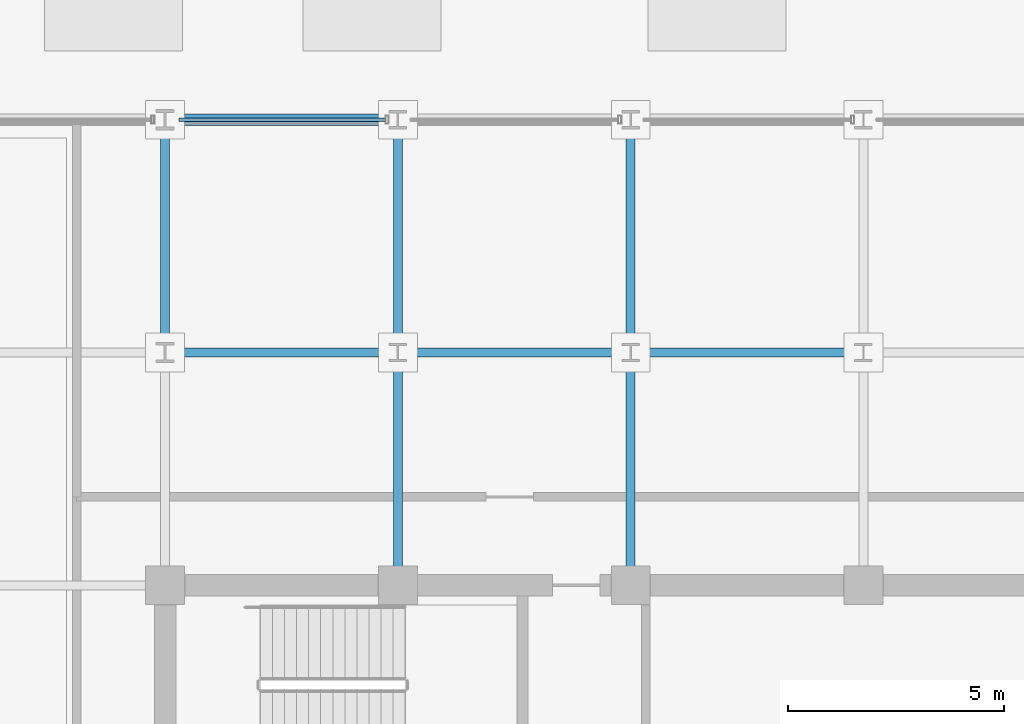
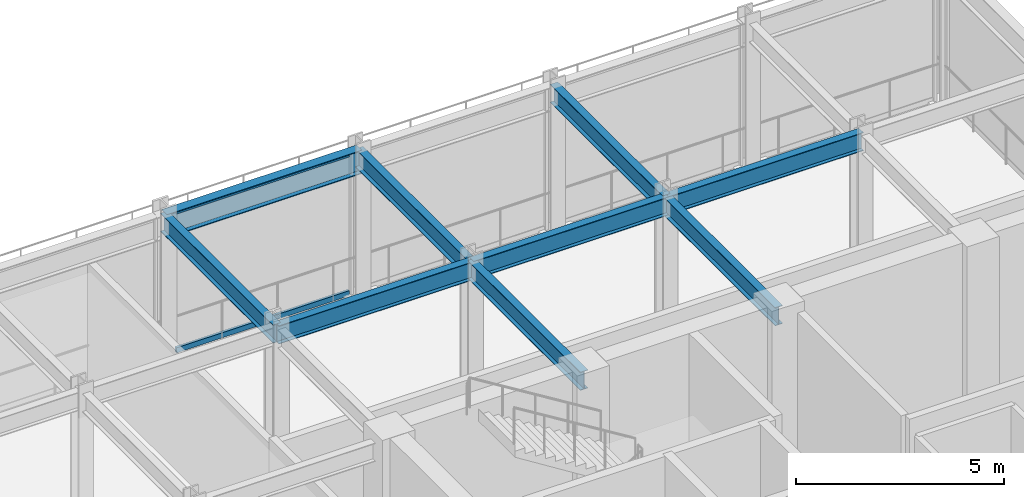
# One storey, part 10 of 22: 9 beams, 2 members, 1 element without a shape of its own.
"""IFC4 building model written with IfcOpenShell, lengths in metres."""

from ifc_helpers import new_model, si_unit, direction, frame, origin, origin_2d, place, context, subcontext, project, spatial, hollow_rectangle, i_section, extrude, material, layer, layer_set, material_profile, profile_set, type_object, element, aggregate, save


model = new_model("IFC4")

# Units and contexts
model_context = context("Model", 3, precision=1e-05, world=origin(), true_north=direction((0.0, 1.0)))
body_context = subcontext(model_context, "Body", "Model", "MODEL_VIEW")
ifc_project = project(units=[si_unit("LENGTHUNIT", "METRE"), si_unit("AREAUNIT", "SQUARE_METRE"), si_unit("VOLUMEUNIT", "CUBIC_METRE"), si_unit("PLANEANGLEUNIT", "RADIAN"), si_unit("MASSUNIT", "GRAM", prefix="KILO")], contexts=[model_context])

# Site, building, storey
site_placement = place(None, origin())
site = spatial("IfcSite", under=ifc_project, at=site_placement, CompositionType="ELEMENT")
building_placement = place(site_placement, origin())
building = spatial("IfcBuilding", under=site, at=building_placement, Name="Surkhivell Harbour Commons", CompositionType="ELEMENT")
storey_placement = place(building_placement, frame((0.0, 0.0, 337.5)))
storey = spatial("IfcBuildingStorey", under=building, at=storey_placement, Name="L88", CompositionType="ELEMENT", Elevation=337.5)

# Beams
ifc_material_1 = material(Name="Steel S355", Category="steel")
ifc_material_profile_1 = material_profile(ifc_material_1, i_section(OverallWidth=0.2099609375, OverallDepth=0.537109375, WebThickness=0.0107421875, FlangeThickness=0.017333984375, at=origin_2d()), Name="UB533x210x101")
ifc_profile_set_1 = profile_set([ifc_material_profile_1], Name="Steel S355")
beam_type_1 = type_object("IfcBeamType", Name="BM-GRD-533B", PredefinedType="BEAM", material=ifc_profile_set_1)
for number, where, z_axis, x_axis, name in (
    (1, (-10.800048828125, 16.199951171875, 3.951416015625), (0.0, 1.0, 0.0), (-1.0, 0.0, 0.0), "L88 Floor Girder (-10.8,16.2)"),
    (2, (-10.800048828125, 16.199951171875, 3.951416015625), (1.0, 0.0, 0.0), (0.0, 1.0, 0.0), "L88 Floor Girder (-10.8,16.2)"),
):
    element("IfcBeam", number, at=place(storey_placement, frame(where, z_axis=z_axis, x_axis=x_axis)), inside=storey, type_object=beam_type_1, Name=name, PredefinedType="BEAM", context=body_context, shape_type="SweptSolid", body=[
        extrude(i_section(OverallWidth=0.2099609375, OverallDepth=0.537109375, WebThickness=0.0107421875, FlangeThickness=0.017333984375, at=origin_2d()), origin(), (0.0, 0.0, 1.0), 5.400146484375),
    ])
beam_1_placement = place(storey_placement, frame((-5.39990234375, 10.800048828125, 3.951416015625), z_axis=(0.0, 1.0, 0.0), x_axis=(-1.0, 0.0, 0.0)))
element("IfcBeam", 3, at=beam_1_placement, inside=storey, type_object=beam_type_1, Name="L88 Floor Girder (-5.4,10.8)", PredefinedType="BEAM", context=body_context, shape_type="SweptSolid", body=[
    extrude(i_section(OverallWidth=0.2099609375, OverallDepth=0.537109375, WebThickness=0.0107421875, FlangeThickness=0.017333984375, at=origin_2d()), origin(), (0.0, 0.0, 1.0), 5.39990234375),
])
beam_2_placement = place(storey_placement, frame((-5.39990234375, 16.199951171875, 3.951416015625), z_axis=(0.0, 1.0, 0.0), x_axis=(-1.0, 0.0, 0.0)))
element("IfcBeam", 4, at=beam_2_placement, inside=storey, type_object=beam_type_1, Name="L88 Floor Girder (-5.4,16.2)", PredefinedType="BEAM", context=body_context, shape_type="SweptSolid", body=[
    extrude(i_section(OverallWidth=0.2099609375, OverallDepth=0.537109375, WebThickness=0.0107421875, FlangeThickness=0.017333984375, at=origin_2d()), origin(), (0.0, 0.0, 1.0), 5.400146484375),
])
for number, where, z_axis, x_axis, name in (
    (5, (-5.39990234375, 16.199951171875, 3.951416015625), (1.0, 0.0, 0.0), (0.0, 1.0, 0.0), "L88 Floor Girder (-5.4,16.2)"),
    (6, (0.0, 10.800048828125, 3.951416015625), (0.0, 1.0, 0.0), (-1.0, 0.0, 0.0), "L88 Floor Girder (0.0,10.8)"),
):
    element("IfcBeam", number, at=place(storey_placement, frame(where, z_axis=z_axis, x_axis=x_axis)), inside=storey, type_object=beam_type_1, Name=name, PredefinedType="BEAM", context=body_context, shape_type="SweptSolid", body=[
        extrude(i_section(OverallWidth=0.2099609375, OverallDepth=0.537109375, WebThickness=0.0107421875, FlangeThickness=0.017333984375, at=origin_2d()), origin(), (0.0, 0.0, 1.0), 5.39990234375),
    ])
beam_3_placement = place(storey_placement, frame((0.0, 16.199951171875, 3.951416015625), z_axis=(0.0, 1.0, 0.0), x_axis=(-1.0, 0.0, 0.0)))
element("IfcBeam", 7, at=beam_3_placement, inside=storey, type_object=beam_type_1, Name="L88 Floor Girder (0.0,16.2)", PredefinedType="BEAM", context=body_context, shape_type="SweptSolid", body=[
    extrude(i_section(OverallWidth=0.2099609375, OverallDepth=0.537109375, WebThickness=0.0107421875, FlangeThickness=0.017333984375, at=origin_2d()), origin(), (0.0, 0.0, 1.0), 5.400146484375),
])
beam_4_placement = place(storey_placement, frame((0.0, 16.199951171875, 3.951416015625), z_axis=(1.0, 0.0, 0.0), x_axis=(0.0, 1.0, 0.0)))
element("IfcBeam", 8, at=beam_4_placement, inside=storey, type_object=beam_type_1, Name="L88 Floor Girder (0.0,16.2)", PredefinedType="BEAM", context=body_context, shape_type="SweptSolid", body=[
    extrude(i_section(OverallWidth=0.2099609375, OverallDepth=0.537109375, WebThickness=0.0107421875, FlangeThickness=0.017333984375, at=origin_2d()), origin(), (0.0, 0.0, 1.0), 5.39990234375),
])
ifc_material_profile_2 = material_profile(ifc_material_1, i_section(OverallWidth=0.256103515625, OverallDepth=0.693115234375, WebThickness=0.014404296875, FlangeThickness=0.023681640625, at=origin_2d()), Name="UB686x254x170")
ifc_profile_set_2 = profile_set([ifc_material_profile_2], Name="Steel S355")
beam_type_2 = type_object("IfcBeamType", Name="BM-SPN-686", PredefinedType="SPANDREL", material=ifc_profile_set_2)
beam_5_placement = place(storey_placement, frame((-10.800048828125, 21.60009765625, 3.87353515625), z_axis=(1.0, 0.0, 0.0), x_axis=(0.0, 1.0, 0.0)))
element("IfcBeam", 9, at=beam_5_placement, inside=storey, type_object=beam_type_2, Name="L88 Tube Spandrel (-10.8,21.6)", PredefinedType="SPANDREL", context=body_context, shape_type="SweptSolid", body=[
    extrude(i_section(OverallWidth=0.256103515625, OverallDepth=0.693115234375, WebThickness=0.014404296875, FlangeThickness=0.023681640625, at=origin_2d()), origin(), (0.0, 0.0, 1.0), 5.400146484375),
])

# Curtain wall, members
ifc_material_2 = material(Name="Anodised pale-metal aluminium and insulated glazing", Category="aluminium")
ifc_layer = layer(ifc_material_2, 0.22998046875)
ifc_layer_set = layer_set([ifc_layer], Name="Anodised pale-metal aluminium and insulated glazing")
curtain_wall_type = type_object("IfcCurtainWallType", Name="CW-SYS-CRN", PredefinedType="NOTDEFINED", material=ifc_layer_set)
curtain_wall_placement = place(storey_placement, origin())
curtain_wall = element("IfcCurtainWall", 10, at=curtain_wall_placement, inside=storey, type_object=curtain_wall_type, Name="L88 Curtain Wall CW-L88-C02", PredefinedType="NOTDEFINED")
ifc_material_3 = material(Name="Anodised pale-metal aluminium alloy 6063-T6", Category="aluminium")
ifc_material_profile_3 = material_profile(ifc_material_3, hollow_rectangle(XDim=0.074951171875, YDim=0.14990234375, WallThickness=0.00341796875, at=origin_2d()), Name="ALU-TRAN-75x150")
ifc_profile_set_3 = profile_set([ifc_material_profile_3], Name="Anodised pale-metal aluminium alloy 6063-T6")
member_type = type_object("IfcMemberType", Name="CWT-150", PredefinedType="USERDEFINED", material=ifc_profile_set_3)
member_1_placement = place(storey_placement, frame((-5.68701171875, 21.60009765625, 0.074951171875), z_axis=(-1.0, 0.0, 0.0), x_axis=(0.0, -1.0, 0.0)))
member_1 = element("IfcMember", 11, at=member_1_placement, type_object=member_type, Name="CW-CRN transom 4.1", ObjectType="TRANSOM", PredefinedType="USERDEFINED", context=body_context, shape_type="SweptSolid", body=[
    extrude(hollow_rectangle(XDim=0.074951171875, YDim=0.14990234375, WallThickness=0.00341796875, at=origin_2d()), origin(), (0.0, 0.0, 1.0), 4.7958984375),
])
member_2_placement = place(storey_placement, frame((-5.68701171875, 21.60009765625, 4.14501953125), z_axis=(-1.0, 0.0, 0.0), x_axis=(0.0, -1.0, 0.0)))
member_2 = element("IfcMember", 12, at=member_2_placement, type_object=member_type, Name="CW-CRN transom 4.2", ObjectType="TRANSOM", PredefinedType="USERDEFINED", context=body_context, shape_type="SweptSolid", body=[
    extrude(hollow_rectangle(XDim=0.074951171875, YDim=0.14990234375, WallThickness=0.00341796875, at=origin_2d()), origin(), (0.0, 0.0, 1.0), 4.7958984375),
])
aggregate(curtain_wall, [member_1, member_2])

save(model, "model.ifc")
